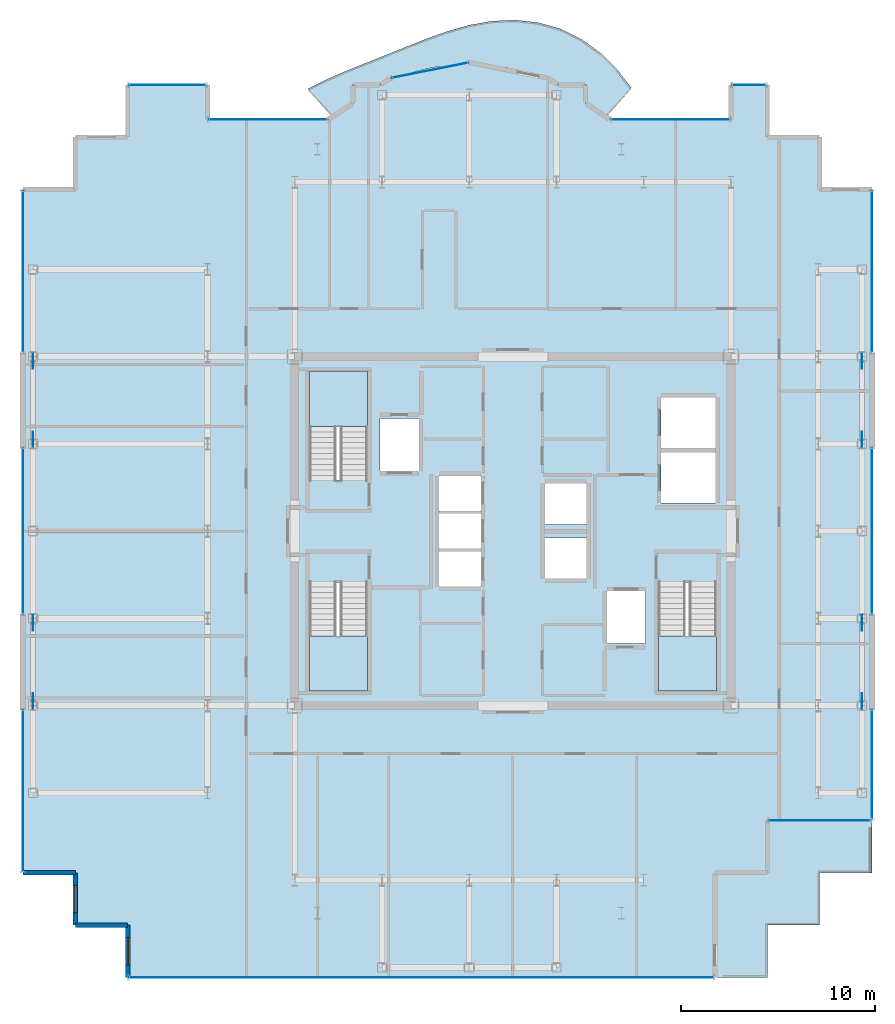
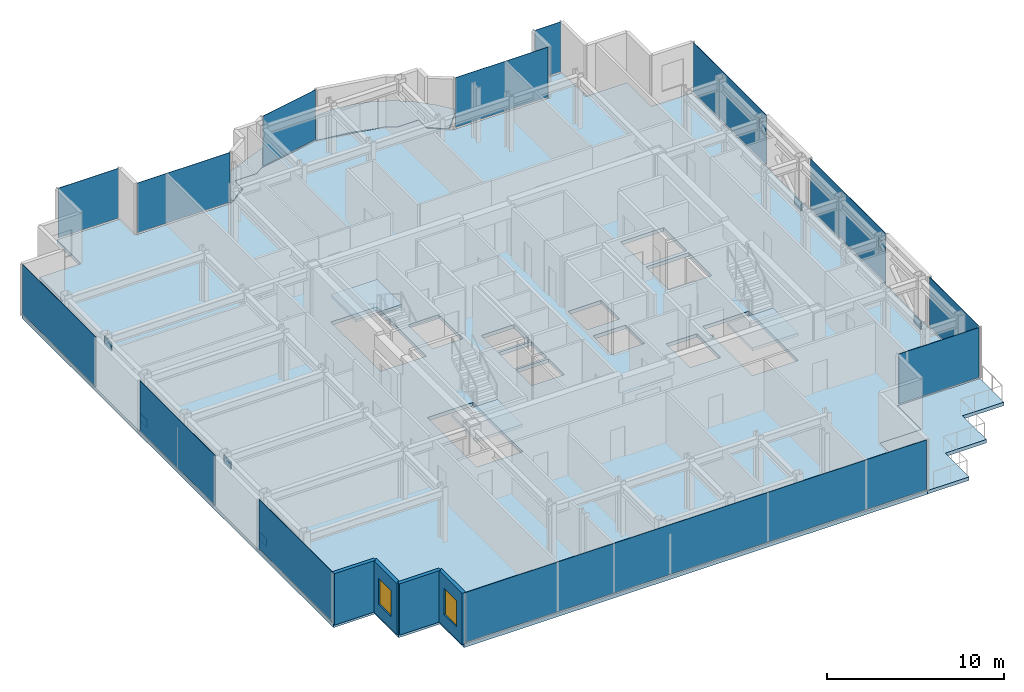
# One storey, part 10 of 18: 21 plates, 6 slabs, 4 walls, 2 windows, 2 openings, 16 elements without a shape of their own.
"""IFC4 building model written with IfcOpenShell, lengths in metres."""

from ifc_helpers import new_model, si_unit, direction, frame, frame_2d, origin, origin_2d, place, context, subcontext, project, spatial, polyline, rectangle, outline, extrude, source, transform, mapped, material, layer, layer_set, type_object, element, fill, aggregate, save


model = new_model("IFC4")

# Units and contexts
model_context = context("Model", 3, precision=1e-05, world=origin(), true_north=direction((0.0, 1.0)))
body_context = subcontext(model_context, "Body", "Model", "MODEL_VIEW")
ifc_project = project(units=[si_unit("LENGTHUNIT", "METRE"), si_unit("AREAUNIT", "SQUARE_METRE"), si_unit("VOLUMEUNIT", "CUBIC_METRE"), si_unit("PLANEANGLEUNIT", "RADIAN"), si_unit("MASSUNIT", "GRAM", prefix="KILO")], contexts=[model_context])

# Site, building, storey
site_placement = place(None, origin())
site = spatial("IfcSite", under=ifc_project, at=site_placement, CompositionType="ELEMENT")
building_placement = place(site_placement, origin())
building = spatial("IfcBuilding", under=site, at=building_placement, Name="Nefas-Gora Pilgrimage Tower", CompositionType="ELEMENT")
storey_placement = place(building_placement, frame((0.0, 0.0, 298.800048828125)))
storey = spatial("IfcBuildingStorey", under=building, at=storey_placement, Name="L75", CompositionType="ELEMENT", Elevation=298.800048828125)

# Slabs
ifc_material_1 = material(Name="Concrete C40/50", Category="concrete")
ifc_layer_1 = layer(ifc_material_1, 0.219970703125)
ifc_layer_set_1 = layer_set([ifc_layer_1], Name="Concrete C40/50")
slab_type_1 = type_object("IfcSlabType", Name="SLB-BAL-P0", PredefinedType="FLOOR", material=ifc_layer_set_1)
slab_1_placement = place(storey_placement, frame((0.0, 0.0, -0.219970703125)))
element("IfcSlab", 1, at=slab_1_placement, inside=storey, type_object=slab_type_1, Name="L75 Sinusoidal Lobe Balcony Slab N (Phase 0)", PredefinedType="FLOOR", context=body_context, shape_type="SweptSolid", body=[
    extrude(outline(polyline([(-9.28759765625, 21.385986328125), (-9.224609375, 21.427978515625), (-8.538330078125, 21.9912109375), (-8.260009765625, 22.179931640625), (-8.260009765625, 23.02001953125), (-8.260009765625, 23.02099609375), (-8.259765625, 23.02197265625), (-8.259521484375, 23.02294921875), (-8.25927734375, 23.023681640625), (-8.2587890625, 23.024658203125), (-8.25830078125, 23.025634765625), (-8.2578125, 23.0263671875), (-8.257080078125, 23.027099609375), (-8.25634765625, 23.027587890625), (-8.255615234375, 23.0283203125), (-8.254638671875, 23.02880859375), (-8.25390625, 23.029296875), (-8.2529296875, 23.029541015625), (-8.251953125, 23.02978515625), (-8.2509765625, 23.030029296875), (-8.25, 23.030029296875), (-6.8271484375, 23.030029296875), (-6.31298828125, 23.37353515625), (-6.31201171875, 23.3740234375), (-6.311279296875, 23.37451171875), (-6.310302734375, 23.375), (-6.309326171875, 23.375), (-5.63037109375, 23.51025390625), (-5.102783203125, 23.685302734375), (-4.165283203125, 23.904052734375), (-3.211669921875, 24.035888671875), (-2.919921875, 24.04931640625), (-2.251953125, 24.18212890625), (-2.2509765625, 24.182373046875), (-2.25, 24.182373046875), (-2.2490234375, 24.182373046875), (-2.248046875, 24.18212890625), (-1.580078125, 24.04931640625), (-1.288330078125, 24.035888671875), (-0.334716796875, 23.904052734375), (0.602783203125, 23.685302734375), (1.13037109375, 23.51025390625), (1.809326171875, 23.375), (1.810302734375, 23.375), (1.811279296875, 23.37451171875), (1.81201171875, 23.3740234375), (1.81298828125, 23.37353515625), (2.3271484375, 23.030029296875), (3.75, 23.030029296875), (3.7509765625, 23.030029296875), (3.751953125, 23.02978515625), (3.7529296875, 23.029541015625), (3.75390625, 23.029296875), (3.754638671875, 23.02880859375), (3.755615234375, 23.0283203125), (3.75634765625, 23.027587890625), (3.757080078125, 23.027099609375), (3.7578125, 23.0263671875), (3.75830078125, 23.025634765625), (3.7587890625, 23.024658203125), (3.75927734375, 23.023681640625), (3.759521484375, 23.02294921875), (3.759765625, 23.02197265625), (3.760009765625, 23.02099609375), (3.760009765625, 23.02001953125), (3.760009765625, 22.179931640625), (4.038330078125, 21.9912109375), (4.724609375, 21.427978515625), (4.78759765625, 21.385986328125), (6.114013671875, 22.859375), (5.38720703125, 23.797607421875), (4.537109375, 24.6455078125), (3.562744140625, 25.357177734375), (2.48046875, 25.89306640625), (1.3203125, 26.2294921875), (0.120849609375, 26.3623046875), (-1.07958984375, 26.3076171875), (-2.25, 26.09912109375), (-3.3720703125, 25.78125), (-4.4423828125, 25.39990234375), (-5.471923828125, 24.993896484375), (-6.479248046875, 24.58740234375), (-7.485107421875, 24.18603515625), (-8.50439453125, 23.7763671875), (-9.539306640625, 23.331298828125), (-10.5751953125, 22.816162109375), (-9.28759765625, 21.385986328125)])), origin(), (0.0, 0.0, 1.0), 0.219970703125),
])
ifc_layer_2 = layer(ifc_material_1, 0.239990234375)
ifc_layer_set_2 = layer_set([ifc_layer_2], Name="Concrete C40/50")
slab_type_2 = type_object("IfcSlabType", Name="SLB-TER-SP-SE", PredefinedType="FLOOR", material=ifc_layer_set_2)
slab_2_placement = place(storey_placement, frame((0.0, 0.0, -0.239990234375)))
element("IfcSlab", 2, at=slab_2_placement, inside=storey, type_object=slab_type_2, Name="L75 Outdoor Sky Terrace Slab TER-SP-SE", PredefinedType="FLOOR", context=body_context, shape_type="SweptSolid", body=[
    extrude(outline(polyline([(18.52001953125, -17.6201171875), (18.52001953125, -14.919921875), (13.1201171875, -14.919921875), (13.1201171875, -17.6201171875), (10.419921875, -17.6201171875), (10.419921875, -23.02001953125), (13.1201171875, -23.02001953125), (13.1201171875, -20.320068359375), (15.820068359375, -20.320068359375), (15.820068359375, -17.6201171875), (18.52001953125, -17.6201171875)])), origin(), (0.0, 0.0, 1.0), 0.239990234375),
])
ifc_layer_3 = layer(ifc_material_1, 0.25)
ifc_layer_set_3 = layer_set([ifc_layer_3], Name="Concrete C40/50")
slab_type_3 = type_object("IfcSlabType", Name="SLB-TWR-260", PredefinedType="FLOOR", material=ifc_layer_set_3)
slab_3_placement = place(storey_placement, frame((0.0, 0.0, -0.25)))
element("IfcSlab", 3, at=slab_3_placement, inside=storey, type_object=slab_type_3, Name="L75 Structural Floor Slab", PredefinedType="FLOOR", context=body_context, shape_type="SweptSolid", body=[
    extrude(outline(polyline([(-19.8701171875, -20.320068359375), (-19.8701171875, -23.02001953125), (10.419921875, -23.02001953125), (10.419921875, -17.6201171875), (13.1201171875, -17.6201171875), (13.1201171875, -14.919921875), (18.52001953125, -14.919921875), (18.52001953125, 17.6201171875), (15.820068359375, 17.6201171875), (15.820068359375, 20.320068359375), (13.1201171875, 20.320068359375), (13.1201171875, 23.02001953125), (11.25, 23.02001953125), (11.25, 21.219970703125), (5.01806640625, 21.219970703125), (3.75, 22.0673828125), (3.75, 23.02001953125), (2.32421875, 23.02001953125), (1.807373046875, 23.365234375), (-2.25, 24.17236328125), (-6.307373046875, 23.365234375), (-6.82421875, 23.02001953125), (-8.25, 23.02001953125), (-8.25, 22.0673828125), (-9.51806640625, 21.219970703125), (-15.75, 21.219970703125), (-15.75, 23.02001953125), (-19.8701171875, 23.02001953125), (-19.8701171875, 20.320068359375), (-22.570068359375, 20.320068359375), (-22.570068359375, 17.6201171875), (-25.27001953125, 17.6201171875), (-25.27001953125, -17.6201171875), (-22.570068359375, -17.6201171875), (-22.570068359375, -20.320068359375), (-19.8701171875, -20.320068359375)]), holes=[polyline([(-10.5, 2.639892578125), (-10.5, 8.25), (-7.5, 8.25), (-7.5, 2.639892578125), (-10.5, 2.639892578125)]), polyline([(10.5, -2.639892578125), (10.5, -8.25), (7.5, -8.25), (7.5, -2.639892578125), (10.5, -2.639892578125)]), polyline([(-7.5, -2.639892578125), (-7.5, -8.25), (-10.5, -8.25), (-10.5, -2.639892578125), (-7.5, -2.639892578125)]), polyline([(-6.85009765625, 5.800048828125), (-4.85009765625, 5.800048828125), (-4.85009765625, 3.10009765625), (-6.85009765625, 3.10009765625), (-6.85009765625, 5.800048828125)]), polyline([(4.85009765625, -3.10009765625), (6.85009765625, -3.10009765625), (6.85009765625, -5.800048828125), (4.85009765625, -5.800048828125), (4.85009765625, -3.10009765625)]), polyline([(7.64990234375, 4.050048828125), (10.449951171875, 4.050048828125), (10.449951171875, 1.449951171875), (7.64990234375, 1.449951171875), (7.64990234375, 4.050048828125)]), polyline([(7.64990234375, 6.89990234375), (10.449951171875, 6.89990234375), (10.449951171875, 4.300048828125), (7.64990234375, 4.300048828125), (7.64990234375, 6.89990234375)]), polyline([(-3.800048828125, -1.050048828125), (-1.64990234375, -1.050048828125), (-1.64990234375, -2.85009765625), (-3.800048828125, -2.85009765625), (-3.800048828125, -1.050048828125)]), polyline([(-3.800048828125, 0.89990234375), (-1.64990234375, 0.89990234375), (-1.64990234375, -0.89990234375), (-3.800048828125, -0.89990234375), (-3.800048828125, 0.89990234375)]), polyline([(-3.800048828125, 2.85009765625), (-1.64990234375, 2.85009765625), (-1.64990234375, 1.050048828125), (-3.800048828125, 1.050048828125), (-3.800048828125, 2.85009765625)]), polyline([(1.64990234375, -0.35009765625), (3.800048828125, -0.35009765625), (3.800048828125, -2.449951171875), (1.64990234375, -2.449951171875), (1.64990234375, -0.35009765625)]), polyline([(1.64990234375, 2.449951171875), (3.800048828125, 2.449951171875), (3.800048828125, 0.35009765625), (1.64990234375, 0.35009765625), (1.64990234375, 2.449951171875)])]), origin(), (0.0, 0.0, 1.0), 0.25),
])

# Stair, slab
ifc_material_2 = material(Name="Concrete C45/55", Category="concrete")
stair_type = type_object("IfcStairType", Name="STR-1400-R1727", PredefinedType="HALF_TURN_STAIR", material=ifc_material_2)
stair_1_placement = place(storey_placement, origin())
stair_1 = element("IfcStair", 4, at=stair_1_placement, inside=storey, type_object=stair_type, Name="L75 Pressurised Tower Exit Stair ST-01", PredefinedType="HALF_TURN_STAIR")
ifc_layer_4 = layer(ifc_material_1, 0.199951171875)
ifc_layer_set_4 = layer_set([ifc_layer_4], Name="Concrete C40/50")
slab_type_4 = type_object("IfcSlabType", Name="STR-LAND-200", PredefinedType="LANDING", material=ifc_layer_set_4)
slab_4_placement = place(storey_placement, frame((0.0, 0.0, 1.699951171875)))
slab_4 = element("IfcSlab", 5, at=slab_4_placement, type_object=slab_type_4, Name="ST-01 landing 1", PredefinedType="LANDING", context=body_context, shape_type="SweptSolid", body=[
    extrude(outline(polyline([(-7.5, 5.39990234375), (-7.5, 8.25), (-10.5, 8.25), (-10.5, 5.39990234375), (-7.5, 5.39990234375)])), origin(), (0.0, 0.0, 1.0), 0.199951171875),
])
aggregate(stair_1, [slab_4])

stair_2_placement = place(storey_placement, origin())
stair_2 = element("IfcStair", 6, at=stair_2_placement, inside=storey, type_object=stair_type, Name="L75 Pressurised Tower Exit Stair ST-02", PredefinedType="HALF_TURN_STAIR")
slab_5_placement = place(storey_placement, frame((0.0, 0.0, 1.699951171875)))
slab_5 = element("IfcSlab", 7, at=slab_5_placement, type_object=slab_type_4, Name="ST-02 landing 1", PredefinedType="LANDING", context=body_context, shape_type="SweptSolid", body=[
    extrude(outline(polyline([(7.5, -5.39990234375), (7.5, -8.25), (10.5, -8.25), (10.5, -5.39990234375), (7.5, -5.39990234375)])), origin(), (0.0, 0.0, 1.0), 0.199951171875),
])
aggregate(stair_2, [slab_5])

stair_3_placement = place(storey_placement, origin())
stair_3 = element("IfcStair", 8, at=stair_3_placement, inside=storey, type_object=stair_type, Name="L75 Pressurised Tower Exit Stair ST-03", PredefinedType="HALF_TURN_STAIR")
slab_6_placement = place(storey_placement, frame((0.0, 0.0, 1.699951171875)))
slab_6 = element("IfcSlab", 9, at=slab_6_placement, type_object=slab_type_4, Name="ST-03 landing 1", PredefinedType="LANDING", context=body_context, shape_type="SweptSolid", body=[
    extrude(outline(polyline([(-10.5, -5.39990234375), (-10.5, -8.25), (-7.5, -8.25), (-7.5, -5.39990234375), (-10.5, -5.39990234375)])), origin(), (0.0, 0.0, 1.0), 0.199951171875),
])
aggregate(stair_3, [slab_6])

# Plates
ifc_material_3 = material(Name="Steel S355", Category="steel")
ifc_layer_5 = layer(ifc_material_3, 0.052001953125)
ifc_layer_set_5 = layer_set([ifc_layer_5], Name="Steel S355")
plate_type_1 = type_object("IfcPlateType", Name="PLT-NODE-N09", PredefinedType="USERDEFINED", material=ifc_layer_set_5)
shared_shape_1 = source(origin(), body_context, "Body", "SweptSolid", [
    extrude(rectangle(XDim=0.780029296875, YDim=0.0380859375, at=origin_2d()), origin(), (0.0, 0.0, 1.0), 0.5400390625),
])
for number, where, z_axis, x_axis, name in (
    (10, (-24.75, -8.761962890625, 0.05029296875), (0.0, 0.0, 1.0), (0.0, 1.0, 0.0), "Structural Node Gusset Plate N09 (L75)"),
    (11, (-24.75, -4.738037109375, 2.9296875), (0.0, 0.0, 1.0), (0.0, 1.0, 0.0), "Structural Node Gusset Plate N09 (L75)"),
    (12, (-24.75, 4.738037109375, 0.05029296875), (0.0, 0.0, 1.0), (0.0, 1.0, 0.0), "Structural Node Gusset Plate N09 (L75)"),
    (13, (-24.75, 8.761962890625, 2.9296875), (0.0, 0.0, 1.0), (0.0, 1.0, 0.0), "Structural Node Gusset Plate N09 (L75)"),
    (14, (18.0, -8.761962890625, 0.05029296875), (0.0, 0.0, 1.0), (0.0, 1.0, 0.0), "Structural Node Gusset Plate N09 (L75)"),
    (15, (18.0, -4.738037109375, 2.9296875), (0.0, 0.0, 1.0), (0.0, 1.0, 0.0), "Structural Node Gusset Plate N09 (L75)"),
    (16, (18.0, 4.738037109375, 0.05029296875), (0.0, 0.0, 1.0), (0.0, 1.0, 0.0), "Structural Node Gusset Plate N09 (L75)"),
    (17, (18.0, 8.761962890625, 2.9296875), (0.0, 0.0, 1.0), (0.0, 1.0, 0.0), "Structural Node Gusset Plate N09 (L75)"),
):
    element("IfcPlate", number, at=place(storey_placement, frame(where, z_axis=z_axis, x_axis=x_axis)), inside=storey, type_object=plate_type_1, Name=name, ObjectType="GUSSET_PLATE", PredefinedType="USERDEFINED", context=body_context, shape_type="MappedRepresentation", body=[
        mapped(shared_shape_1, transform((0.0, 0.0, 0.0), x_axis=(1.0, 0.0, 0.0), y_axis=(0.0, 1.0, 0.0), z_axis=(0.0, 0.0, 1.0), scale=1.0)),
    ])

# Curtain wall, plate
ifc_material_4 = material(Name="Dark ceramic-fritted solar-control aluminium-glass curtain wall", Category="aluminium")
ifc_layer_6 = layer(ifc_material_4, 0.219970703125)
ifc_layer_set_6 = layer_set([ifc_layer_6], Name="Dark ceramic-fritted solar-control aluminium-glass curtain wall")
curtain_wall_type_1 = type_object("IfcCurtainWallType", Name="CW-SYS-5", PredefinedType="NOTDEFINED", material=ifc_layer_set_6)
curtain_wall_1_placement = place(storey_placement, origin())
curtain_wall_1 = element("IfcCurtainWall", 18, at=curtain_wall_1_placement, inside=storey, type_object=curtain_wall_type_1, Name="L75 Unitised Curtain Wall CW5", PredefinedType="NOTDEFINED")
ifc_material_5 = material(Name="Dark ceramic-printed low-e insulated glass", Category="glass")
ifc_layer_7 = layer(ifc_material_5, 0.028076171875)
ifc_layer_set_7 = layer_set([ifc_layer_7], Name="Dark ceramic-printed low-e insulated glass")
plate_type_2 = type_object("IfcPlateType", Name="CWP-PNL-5", PredefinedType="CURTAIN_PANEL", material=ifc_layer_set_7)
shared_shape_2 = source(origin(), body_context, "Body", "SweptSolid", [
    extrude(rectangle(XDim=6.052001953125, YDim=0.028076171875, at=origin_2d()), origin(), (0.0, 0.0, 1.0), 3.43994140625),
])
plate_1_placement = place(storey_placement, frame((8.134033203125, 21.219970703125, 0.10009765625), z_axis=(0.0, 0.0, 1.0), x_axis=(-1.0, 0.0, 0.0)))
plate_1 = element("IfcPlate", 19, at=plate_1_placement, type_object=plate_type_2, Name="CW5 Ceramic-Fritted Glazing Panel 1", PredefinedType="CURTAIN_PANEL", context=body_context, shape_type="MappedRepresentation", body=[
    mapped(shared_shape_2, transform((0.0, 0.0, 0.0), x_axis=(1.0, 0.0, 0.0), y_axis=(0.0, 1.0, 0.0), z_axis=(0.0, 0.0, 1.0), scale=1.0)),
])
aggregate(curtain_wall_1, [plate_1])

curtain_wall_2_placement = place(storey_placement, origin())
curtain_wall_2 = element("IfcCurtainWall", 20, at=curtain_wall_2_placement, inside=storey, type_object=curtain_wall_type_1, Name="L75 Unitised Curtain Wall CW5", PredefinedType="NOTDEFINED")
plate_2_placement = place(storey_placement, frame((-12.634033203125, 21.219970703125, 0.10009765625), z_axis=(0.0, 0.0, 1.0), x_axis=(-1.0, 0.0, 0.0)))
plate_2 = element("IfcPlate", 21, at=plate_2_placement, type_object=plate_type_2, Name="CW5 Ceramic-Fritted Glazing Panel 1", PredefinedType="CURTAIN_PANEL", context=body_context, shape_type="MappedRepresentation", body=[
    mapped(shared_shape_2, transform((0.0, 0.0, 0.0), x_axis=(1.0, 0.0, 0.0), y_axis=(0.0, 1.0, 0.0), z_axis=(0.0, 0.0, 1.0), scale=1.0)),
])
aggregate(curtain_wall_2, [plate_2])

curtain_wall_3_placement = place(storey_placement, origin())
curtain_wall_3 = element("IfcCurtainWall", 22, at=curtain_wall_3_placement, inside=storey, type_object=curtain_wall_type_1, Name="L75 Unitised Curtain Wall CW5", PredefinedType="NOTDEFINED")
shared_shape_3 = source(origin(), body_context, "Body", "SweptSolid", [
    extrude(rectangle(XDim=3.956787109375, YDim=0.028076171875, at=origin_2d()), origin(), (0.0, 0.0, 1.0), 3.43994140625),
])
plate_3_placement = place(storey_placement, frame((-4.278564453125, 23.768798828125, 0.10009765625), z_axis=(0.0, 0.0, 1.0), x_axis=(-0.980782896852, -0.195102304554, 0.0)))
plate_3 = element("IfcPlate", 23, at=plate_3_placement, type_object=plate_type_2, Name="CW5 Ceramic-Fritted Glazing Panel 1", PredefinedType="CURTAIN_PANEL", context=body_context, shape_type="MappedRepresentation", body=[
    mapped(shared_shape_3, transform((0.0, 0.0, 0.0), x_axis=(1.0, 0.0, 0.0), y_axis=(0.0, 1.0, 0.0), z_axis=(0.0, 0.0, 1.0), scale=1.0)),
])
aggregate(curtain_wall_3, [plate_3])

ifc_layer_8 = layer(ifc_material_4, 0.219970703125)
ifc_layer_set_8 = layer_set([ifc_layer_8], Name="Dark ceramic-fritted solar-control aluminium-glass curtain wall")
curtain_wall_type_2 = type_object("IfcCurtainWallType", Name="CW-SYS-4", PredefinedType="NOTDEFINED", material=ifc_layer_set_8)
curtain_wall_4_placement = place(storey_placement, origin())
curtain_wall_4 = element("IfcCurtainWall", 24, at=curtain_wall_4_placement, inside=storey, type_object=curtain_wall_type_2, Name="L75 Unitised Curtain Wall CW4", PredefinedType="NOTDEFINED")
ifc_layer_9 = layer(ifc_material_5, 0.030029296875)
ifc_layer_set_9 = layer_set([ifc_layer_9], Name="Dark ceramic-printed low-e insulated glass")
plate_type_3 = type_object("IfcPlateType", Name="CWP-PNL-4", PredefinedType="CURTAIN_PANEL", material=ifc_layer_set_9)
shared_shape_4 = source(origin(), body_context, "Body", "SweptSolid", [
    extrude(rectangle(XDim=8.2900390625, YDim=0.030029296875, at=origin_2d()), origin(), (0.0, 0.0, 1.0), 3.43994140625),
])
plate_4_placement = place(storey_placement, frame((18.52001953125, 13.385009765625, 0.10009765625), z_axis=(0.0, 0.0, 1.0), x_axis=(0.0, 1.0, 0.0)))
plate_4 = element("IfcPlate", 25, at=plate_4_placement, type_object=plate_type_3, Name="CW4 Ceramic-Fritted Glazing Panel 1", PredefinedType="CURTAIN_PANEL", context=body_context, shape_type="MappedRepresentation", body=[
    mapped(shared_shape_4, transform((0.0, 0.0, 0.0), x_axis=(1.0, 0.0, 0.0), y_axis=(0.0, 1.0, 0.0), z_axis=(0.0, 0.0, 1.0), scale=1.0)),
])
aggregate(curtain_wall_4, [plate_4])

curtain_wall_5_placement = place(storey_placement, origin())
curtain_wall_5 = element("IfcCurtainWall", 26, at=curtain_wall_5_placement, inside=storey, type_object=curtain_wall_type_2, Name="L75 Unitised Curtain Wall CW4", PredefinedType="NOTDEFINED")
plate_5_placement = place(storey_placement, frame((-25.27001953125, 13.385009765625, 0.10009765625), z_axis=(0.0, 0.0, 1.0), x_axis=(0.0, -1.0, 0.0)))
plate_5 = element("IfcPlate", 27, at=plate_5_placement, type_object=plate_type_3, Name="CW4 Ceramic-Fritted Glazing Panel 1", PredefinedType="CURTAIN_PANEL", context=body_context, shape_type="MappedRepresentation", body=[
    mapped(shared_shape_4, transform((0.0, 0.0, 0.0), x_axis=(1.0, 0.0, 0.0), y_axis=(0.0, 1.0, 0.0), z_axis=(0.0, 0.0, 1.0), scale=1.0)),
])
aggregate(curtain_wall_5, [plate_5])

curtain_wall_6_placement = place(storey_placement, origin())
curtain_wall_6 = element("IfcCurtainWall", 28, at=curtain_wall_6_placement, inside=storey, type_object=curtain_wall_type_2, Name="L75 Unitised Curtain Wall CW4", PredefinedType="NOTDEFINED")
plate_6_placement = place(storey_placement, frame((-25.27001953125, -13.385009765625, 0.10009765625), z_axis=(0.0, 0.0, 1.0), x_axis=(0.0, -1.0, 0.0)))
plate_6 = element("IfcPlate", 29, at=plate_6_placement, type_object=plate_type_3, Name="CW4 Ceramic-Fritted Glazing Panel 1", PredefinedType="CURTAIN_PANEL", context=body_context, shape_type="MappedRepresentation", body=[
    mapped(shared_shape_4, transform((0.0, 0.0, 0.0), x_axis=(1.0, 0.0, 0.0), y_axis=(0.0, 1.0, 0.0), z_axis=(0.0, 0.0, 1.0), scale=1.0)),
])
aggregate(curtain_wall_6, [plate_6])

curtain_wall_7_placement = place(storey_placement, origin())
curtain_wall_7 = element("IfcCurtainWall", 30, at=curtain_wall_7_placement, inside=storey, type_object=curtain_wall_type_2, Name="L75 Unitised Curtain Wall CW4", PredefinedType="NOTDEFINED")
shared_shape_5 = source(origin(), body_context, "Body", "SweptSolid", [
    extrude(rectangle(XDim=8.52001953125, YDim=0.030029296875, at=origin_2d()), origin(), (0.0, 0.0, 1.0), 3.43994140625),
])
plate_7_placement = place(storey_placement, frame((18.52001953125, 0.0, 0.10009765625), z_axis=(0.0, 0.0, 1.0), x_axis=(0.0, 1.0, 0.0)))
plate_7 = element("IfcPlate", 31, at=plate_7_placement, type_object=plate_type_3, Name="CW4 Ceramic-Fritted Glazing Panel 1", PredefinedType="CURTAIN_PANEL", context=body_context, shape_type="MappedRepresentation", body=[
    mapped(shared_shape_5, transform((0.0, 0.0, 0.0), x_axis=(1.0, 0.0, 0.0), y_axis=(0.0, 1.0, 0.0), z_axis=(0.0, 0.0, 1.0), scale=1.0)),
])
aggregate(curtain_wall_7, [plate_7])

curtain_wall_8_placement = place(storey_placement, origin())
curtain_wall_8 = element("IfcCurtainWall", 32, at=curtain_wall_8_placement, inside=storey, type_object=curtain_wall_type_2, Name="L75 Unitised Curtain Wall CW4", PredefinedType="NOTDEFINED")
plate_8_placement = place(storey_placement, frame((-25.27001953125, 0.0, 0.10009765625), z_axis=(0.0, 0.0, 1.0), x_axis=(0.0, -1.0, 0.0)))
plate_8 = element("IfcPlate", 33, at=plate_8_placement, type_object=plate_type_3, Name="CW4 Ceramic-Fritted Glazing Panel 1", PredefinedType="CURTAIN_PANEL", context=body_context, shape_type="MappedRepresentation", body=[
    mapped(shared_shape_5, transform((0.0, 0.0, 0.0), x_axis=(1.0, 0.0, 0.0), y_axis=(0.0, 1.0, 0.0), z_axis=(0.0, 0.0, 1.0), scale=1.0)),
])
aggregate(curtain_wall_8, [plate_8])

curtain_wall_9_placement = place(storey_placement, origin())
curtain_wall_9 = element("IfcCurtainWall", 34, at=curtain_wall_9_placement, inside=storey, type_object=curtain_wall_type_2, Name="L75 Unitised Curtain Wall CW4", PredefinedType="NOTDEFINED")
shared_shape_6 = source(origin(), body_context, "Body", "SweptSolid", [
    extrude(rectangle(XDim=1.68994140625, YDim=0.030029296875, at=origin_2d()), origin(), (0.0, 0.0, 1.0), 3.43994140625),
])
plate_9_placement = place(storey_placement, frame((12.18505859375, 23.02001953125, 0.10009765625), z_axis=(0.0, 0.0, 1.0), x_axis=(-1.0, 0.0, 0.0)))
plate_9 = element("IfcPlate", 35, at=plate_9_placement, type_object=plate_type_3, Name="CW4 Ceramic-Fritted Glazing Panel 1", PredefinedType="CURTAIN_PANEL", context=body_context, shape_type="MappedRepresentation", body=[
    mapped(shared_shape_6, transform((0.0, 0.0, 0.0), x_axis=(1.0, 0.0, 0.0), y_axis=(0.0, 1.0, 0.0), z_axis=(0.0, 0.0, 1.0), scale=1.0)),
])
aggregate(curtain_wall_9, [plate_9])

curtain_wall_10_placement = place(storey_placement, origin())
curtain_wall_10 = element("IfcCurtainWall", 36, at=curtain_wall_10_placement, inside=storey, type_object=curtain_wall_type_2, Name="L75 Unitised Curtain Wall CW4", PredefinedType="NOTDEFINED")
shared_shape_7 = source(origin(), body_context, "Body", "SweptSolid", [
    extrude(rectangle(XDim=3.93994140625, YDim=0.030029296875, at=origin_2d()), origin(), (0.0, 0.0, 1.0), 3.43994140625),
])
plate_10_placement = place(storey_placement, frame((-17.81005859375, 23.02001953125, 0.10009765625), z_axis=(0.0, 0.0, 1.0), x_axis=(-1.0, 0.0, 0.0)))
plate_10 = element("IfcPlate", 37, at=plate_10_placement, type_object=plate_type_3, Name="CW4 Ceramic-Fritted Glazing Panel 1", PredefinedType="CURTAIN_PANEL", context=body_context, shape_type="MappedRepresentation", body=[
    mapped(shared_shape_7, transform((0.0, 0.0, 0.0), x_axis=(1.0, 0.0, 0.0), y_axis=(0.0, 1.0, 0.0), z_axis=(0.0, 0.0, 1.0), scale=1.0)),
])
aggregate(curtain_wall_10, [plate_10])

curtain_wall_11_placement = place(storey_placement, origin())
curtain_wall_11 = element("IfcCurtainWall", 38, at=curtain_wall_11_placement, inside=storey, type_object=curtain_wall_type_2, Name="L75 Unitised Curtain Wall CW4", PredefinedType="NOTDEFINED")
shared_shape_8 = source(origin(), body_context, "Body", "SweptSolid", [
    extrude(rectangle(XDim=5.219970703125, YDim=0.030029296875, at=origin_2d()), origin(), (0.0, 0.0, 1.0), 3.43994140625),
])
plate_11_placement = place(storey_placement, frame((15.820068359375, -14.919921875, 0.10009765625), z_axis=(0.0, 0.0, 1.0), x_axis=(1.0, 0.0, 0.0)))
plate_11 = element("IfcPlate", 39, at=plate_11_placement, type_object=plate_type_3, Name="CW4 Ceramic-Fritted Glazing Panel 1", PredefinedType="CURTAIN_PANEL", context=body_context, shape_type="MappedRepresentation", body=[
    mapped(shared_shape_8, transform((0.0, 0.0, 0.0), x_axis=(1.0, 0.0, 0.0), y_axis=(0.0, 1.0, 0.0), z_axis=(0.0, 0.0, 1.0), scale=1.0)),
])
aggregate(curtain_wall_11, [plate_11])

curtain_wall_12_placement = place(storey_placement, origin())
curtain_wall_12 = element("IfcCurtainWall", 40, at=curtain_wall_12_placement, inside=storey, type_object=curtain_wall_type_2, Name="L75 Unitised Curtain Wall CW4", PredefinedType="NOTDEFINED")
shared_shape_9 = source(origin(), body_context, "Body", "SweptSolid", [
    extrude(rectangle(XDim=30.110107421875, YDim=0.030029296875, at=origin_2d()), origin(), (0.0, 0.0, 1.0), 3.43994140625),
])
plate_12_placement = place(storey_placement, frame((-4.72509765625, -23.02001953125, 0.10009765625), z_axis=(0.0, 0.0, 1.0), x_axis=(1.0, 0.0, 0.0)))
plate_12 = element("IfcPlate", 41, at=plate_12_placement, type_object=plate_type_3, Name="CW4 Ceramic-Fritted Glazing Panel 1", PredefinedType="CURTAIN_PANEL", context=body_context, shape_type="MappedRepresentation", body=[
    mapped(shared_shape_9, transform((0.0, 0.0, 0.0), x_axis=(1.0, 0.0, 0.0), y_axis=(0.0, 1.0, 0.0), z_axis=(0.0, 0.0, 1.0), scale=1.0)),
])
aggregate(curtain_wall_12, [plate_12])

curtain_wall_13_placement = place(storey_placement, origin())
curtain_wall_13 = element("IfcCurtainWall", 42, at=curtain_wall_13_placement, inside=storey, type_object=curtain_wall_type_2, Name="L75 Unitised Curtain Wall CW4", PredefinedType="NOTDEFINED")
shared_shape_10 = source(origin(), body_context, "Body", "SweptSolid", [
    extrude(rectangle(XDim=5.590087890625, YDim=0.030029296875, at=origin_2d()), origin(), (0.0, 0.0, 1.0), 3.43994140625),
])
plate_13_placement = place(storey_placement, frame((18.52001953125, -12.034912109375, 0.10009765625), z_axis=(0.0, 0.0, 1.0), x_axis=(0.0, 1.0, 0.0)))
plate_13 = element("IfcPlate", 43, at=plate_13_placement, type_object=plate_type_3, Name="CW4 Ceramic-Fritted Glazing Panel 1", PredefinedType="CURTAIN_PANEL", context=body_context, shape_type="MappedRepresentation", body=[
    mapped(shared_shape_10, transform((0.0, 0.0, 0.0), x_axis=(1.0, 0.0, 0.0), y_axis=(0.0, 1.0, 0.0), z_axis=(0.0, 0.0, 1.0), scale=1.0)),
])
aggregate(curtain_wall_13, [plate_13])

# Wall, opening, window
ifc_material_6 = material(Name="Precast concrete C45/55", Category="concrete")
ifc_layer_10 = layer(ifc_material_6, 0.239990234375)
ifc_layer_set_10 = layer_set([ifc_layer_10], Name="Precast concrete C45/55")
wall_type = type_object("IfcWallType", Name="EW-SERR-240", PredefinedType="SHEAR", material=ifc_layer_set_10)
shared_shape_11 = source(origin(), body_context, "Body", "SweptSolid", [
    extrude(rectangle(XDim=2.699951171875, YDim=0.239990234375, at=frame_2d((1.35009765625, 0.0))), origin(), (0.0, 0.0, 1.0), 3.550048828125),
])
wall_1_placement = place(storey_placement, frame((-19.8701171875, -20.320068359375, 0.0), z_axis=(0.0, 0.0, 1.0), x_axis=(0.0, -1.0, 0.0)))
wall_1 = element("IfcWall", 44, at=wall_1_placement, inside=storey, type_object=wall_type, Name="L75 Serrated Corner Shear Pier Wall 5", PredefinedType="SHEAR", context=body_context, shape_type="MappedRepresentation", body=[
    mapped(shared_shape_11, transform((0.0, 0.0, 0.0), x_axis=(1.0, 0.0, 0.0), y_axis=(0.0, 1.0, 0.0), z_axis=(0.0, 0.0, 1.0), scale=1.0)),
])
opening_1_placement = place(wall_1_placement, frame((0.64990234375, 0.0, 0.85009765625)))
opening_1 = element("IfcOpeningElement", 45, at=opening_1_placement, cuts=wall_1, Name="Opening W-V2", PredefinedType="OPENING", context=body_context, shape_type="SweptSolid", body=[
    extrude(rectangle(XDim=1.39990234375, YDim=1.800048828125, at=frame_2d((0.699951171875, 0.89990234375))), frame((0.0, 0.1298828125, 0.0), z_axis=(0.0, -1.0, 0.0), x_axis=(1.0, 0.0, 0.0)), (0.0, 0.0, 1.0), 0.260009765625),
])
ifc_material_7 = material(Name="Dark ceramic-fritted operable aluminium-glass window", Category="aluminium")
window_type = type_object("IfcWindowType", Name="WIN-VENT-1400x1800", PartitioningType="SINGLE_PANEL", PredefinedType="WINDOW", material=ifc_material_7)
shared_shape_12 = source(origin(), body_context, "Body", "SweptSolid", [
    extrude(rectangle(XDim=1.39990234375, YDim=1.800048828125, at=frame_2d((0.699951171875, 0.89990234375))), frame((0.0, 0.030029296875, 0.0), z_axis=(0.0, -1.0, 0.0), x_axis=(1.0, 0.0, 0.0)), (0.0, 0.0, 1.0), 0.06005859375),
])
window_1_placement = place(opening_1_placement, origin())
window_1 = element("IfcWindow", 46, at=window_1_placement, inside=storey, type_object=window_type, Name="L75 Operable Parallel-Outswing Window 5", OverallHeight=1.800048828125, OverallWidth=1.39990234375, PartitioningType="SINGLE_PANEL", PredefinedType="WINDOW", context=body_context, shape_type="MappedRepresentation", body=[
    mapped(shared_shape_12, transform((0.0, 0.0, 0.0), x_axis=(1.0, 0.0, 0.0), y_axis=(0.0, 1.0, 0.0), z_axis=(0.0, 0.0, 1.0), scale=1.0)),
])
fill(opening_1, window_1)

# Wall
wall_2_placement = place(storey_placement, frame((-25.27001953125, -17.6201171875, 0.0), z_axis=(0.0, 0.0, 1.0), x_axis=(1.0, 0.0, 0.0)))
element("IfcWall", 47, at=wall_2_placement, inside=storey, type_object=wall_type, Name="L75 Serrated Corner Shear Pier Wall 28", PredefinedType="SHEAR", context=body_context, shape_type="MappedRepresentation", body=[
    mapped(shared_shape_11, transform((0.0, 0.0, 0.0), x_axis=(1.0, 0.0, 0.0), y_axis=(0.0, 1.0, 0.0), z_axis=(0.0, 0.0, 1.0), scale=1.0)),
])

# Wall, opening, window
wall_3_placement = place(storey_placement, frame((-22.570068359375, -17.6201171875, 0.0), z_axis=(0.0, 0.0, 1.0), x_axis=(0.0, -1.0, 0.0)))
wall_3 = element("IfcWall", 48, at=wall_3_placement, inside=storey, type_object=wall_type, Name="L75 Serrated Corner Shear Pier Wall 29", PredefinedType="SHEAR", context=body_context, shape_type="MappedRepresentation", body=[
    mapped(shared_shape_11, transform((0.0, 0.0, 0.0), x_axis=(1.0, 0.0, 0.0), y_axis=(0.0, 1.0, 0.0), z_axis=(0.0, 0.0, 1.0), scale=1.0)),
])
opening_2_placement = place(wall_3_placement, frame((0.64990234375, 0.0, 0.85009765625)))
opening_2 = element("IfcOpeningElement", 49, at=opening_2_placement, cuts=wall_3, Name="Opening W-V2", PredefinedType="OPENING", context=body_context, shape_type="SweptSolid", body=[
    extrude(rectangle(XDim=1.39990234375, YDim=1.800048828125, at=frame_2d((0.699951171875, 0.89990234375))), frame((0.0, 0.1298828125, 0.0), z_axis=(0.0, -1.0, 0.0), x_axis=(1.0, 0.0, 0.0)), (0.0, 0.0, 1.0), 0.260009765625),
])
window_2_placement = place(opening_2_placement, origin())
window_2 = element("IfcWindow", 50, at=window_2_placement, inside=storey, type_object=window_type, Name="L75 Operable Parallel-Outswing Window 29", OverallHeight=1.800048828125, OverallWidth=1.39990234375, PartitioningType="SINGLE_PANEL", PredefinedType="WINDOW", context=body_context, shape_type="MappedRepresentation", body=[
    mapped(shared_shape_12, transform((0.0, 0.0, 0.0), x_axis=(1.0, 0.0, 0.0), y_axis=(0.0, 1.0, 0.0), z_axis=(0.0, 0.0, 1.0), scale=1.0)),
])
fill(opening_2, window_2)

# Wall
wall_4_placement = place(storey_placement, frame((-22.570068359375, -20.320068359375, 0.0), z_axis=(0.0, 0.0, 1.0), x_axis=(1.0, 0.0, 0.0)))
element("IfcWall", 51, at=wall_4_placement, inside=storey, type_object=wall_type, Name="L75 Serrated Corner Shear Pier Wall 30", PredefinedType="SHEAR", context=body_context, shape_type="MappedRepresentation", body=[
    mapped(shared_shape_11, transform((0.0, 0.0, 0.0), x_axis=(1.0, 0.0, 0.0), y_axis=(0.0, 1.0, 0.0), z_axis=(0.0, 0.0, 1.0), scale=1.0)),
])

save(model, "model.ifc")
